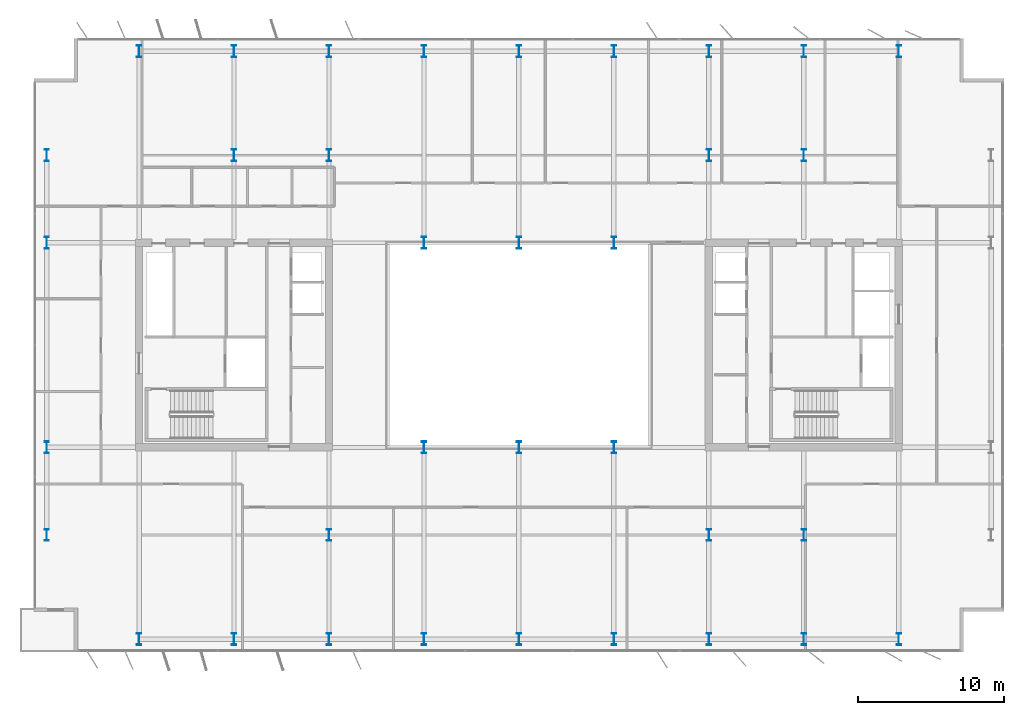
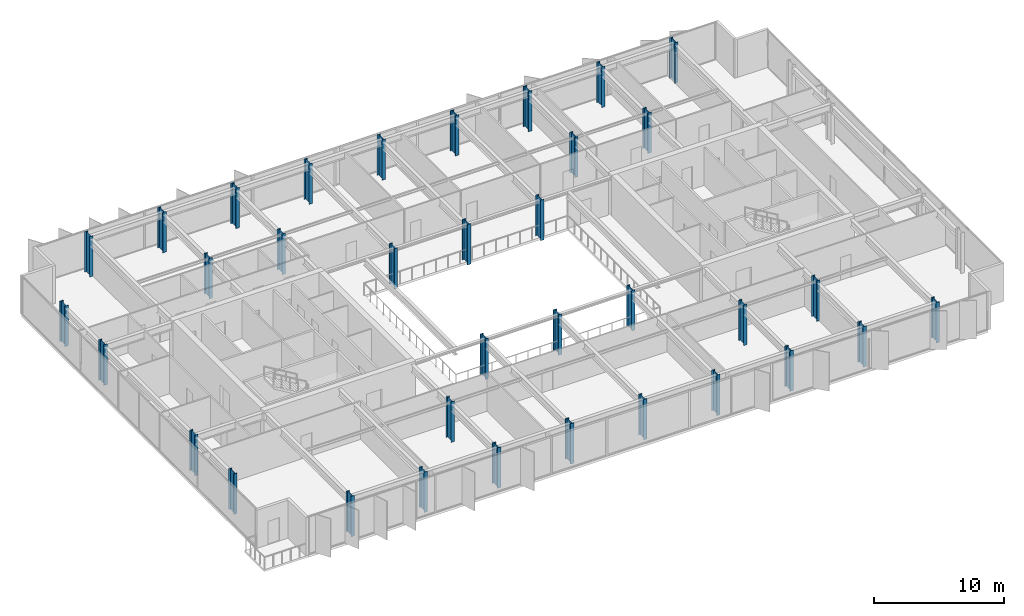
# One storey, part 1 of 23: 35 columns.
"""IFC4 building model written with IfcOpenShell, lengths in metres."""

from ifc_helpers import new_model, si_unit, direction, frame, origin, origin_2d, place, context, subcontext, project, spatial, i_section, extrude, material, material_profile, profile_set, type_object, element, save


model = new_model("IFC4")

# Units and contexts
model_context = context("Model", 3, precision=1e-05, world=origin(), true_north=direction((0.0, 1.0)))
body_context = subcontext(model_context, "Body", "Model", "MODEL_VIEW")
ifc_project = project(units=[si_unit("LENGTHUNIT", "METRE"), si_unit("AREAUNIT", "SQUARE_METRE"), si_unit("VOLUMEUNIT", "CUBIC_METRE"), si_unit("PLANEANGLEUNIT", "RADIAN"), si_unit("MASSUNIT", "GRAM", prefix="KILO")], contexts=[model_context])

# Site, building, storey
site_placement = place(None, origin())
site = spatial("IfcSite", under=ifc_project, at=site_placement, CompositionType="ELEMENT")
building_placement = place(site_placement, origin())
building = spatial("IfcBuilding", under=site, at=building_placement, Name="Putna Gate Headquarters", CompositionType="ELEMENT")
storey_placement = place(building_placement, frame((0.0, 0.0, 225.199951171875)))
storey = spatial("IfcBuildingStorey", under=building, at=storey_placement, Name="L56", CompositionType="ELEMENT", Elevation=225.199951171875)

# Columns
ifc_material = material(Name="Steel S460M", Category="steel")
ifc_material_profile_1 = material_profile(ifc_material, i_section(OverallWidth=0.302978515625, OverallDepth=0.81396484375, WebThickness=0.02099609375, FlangeThickness=0.0400390625, at=origin_2d()), Name="Steel S460M")
ifc_profile_set_1 = profile_set([ifc_material_profile_1], Name="Steel S460M")
column_type_1 = type_object("IfcColumnType", Name="COL-STL-HEM800-EXT", PredefinedType="COLUMN", material=ifc_profile_set_1)
for number, where, z_axis, x_axis, name in (
    (1, (13.0, 5.8798828125, 0.0), (0.0, 0.0, 1.0), (1.0, 0.0, 0.0), "L56 Column CP-S13"),
    (2, (13.0, 46.1201171875, 0.0), (0.0, 0.0, 1.0), (1.0, 0.0, 0.0), "L56 Column CP-N13"),
    (3, (19.5, 5.8798828125, 0.0), (0.0, 0.0, 1.0), (1.0, 0.0, 0.0), "L56 Column CP-S19"),
    (4, (19.5, 46.1201171875, 0.0), (0.0, 0.0, 1.0), (1.0, 0.0, 0.0), "L56 Column CP-N19"),
    (5, (26.0, 5.8798828125, 0.0), (0.0, 0.0, 1.0), (1.0, 0.0, 0.0), "L56 Column CP-S26"),
    (6, (26.0, 46.1201171875, 0.0), (0.0, 0.0, 1.0), (1.0, 0.0, 0.0), "L56 Column CP-N26"),
    (7, (32.5, 5.8798828125, 0.0), (0.0, 0.0, 1.0), (1.0, 0.0, 0.0), "L56 Column CP-S32"),
    (8, (32.5, 46.1201171875, 0.0), (0.0, 0.0, 1.0), (1.0, 0.0, 0.0), "L56 Column CP-N32"),
    (9, (39.0, 5.8798828125, 0.0), (0.0, 0.0, 1.0), (1.0, 0.0, 0.0), "L56 Column CP-S39"),
    (10, (39.0, 46.1201171875, 0.0), (0.0, 0.0, 1.0), (1.0, 0.0, 0.0), "L56 Column CP-N39"),
    (11, (45.5, 5.8798828125, 0.0), (0.0, 0.0, 1.0), (1.0, 0.0, 0.0), "L56 Column CP-S45"),
    (12, (45.5, 46.1201171875, 0.0), (0.0, 0.0, 1.0), (1.0, 0.0, 0.0), "L56 Column CP-N45"),
    (13, (52.0, 5.8798828125, 0.0), (0.0, 0.0, 1.0), (1.0, 0.0, 0.0), "L56 Column CP-S52"),
    (14, (52.0, 46.1201171875, 0.0), (0.0, 0.0, 1.0), (1.0, 0.0, 0.0), "L56 Column CP-N52"),
    (15, (58.5, 5.8798828125, 0.0), (0.0, 0.0, 1.0), (1.0, 0.0, 0.0), "L56 Column CP-S58"),
    (16, (58.5, 46.1201171875, 0.0), (0.0, 0.0, 1.0), (1.0, 0.0, 0.0), "L56 Column CP-N58"),
    (17, (65.0, 5.8798828125, 0.0), (0.0, 0.0, 1.0), (1.0, 0.0, 0.0), "L56 Column CP-S65"),
    (18, (65.0, 46.1201171875, 0.0), (0.0, 0.0, 1.0), (1.0, 0.0, 0.0), "L56 Column CP-N65"),
    (19, (6.679931640625, 13.0, 0.0), (0.0, 0.0, 1.0), (1.0, 0.0, 0.0), "L56 Column CP-W13"),
    (20, (6.679931640625, 19.0, 0.0), (0.0, 0.0, 1.0), (1.0, 0.0, 0.0), "L56 Column CP-W19"),
    (21, (6.679931640625, 33.0, 0.0), (0.0, 0.0, 1.0), (1.0, 0.0, 0.0), "L56 Column CP-W33"),
    (22, (6.679931640625, 39.0, 0.0), (0.0, 0.0, 1.0), (1.0, 0.0, 0.0), "L56 Column CP-W39"),
):
    element("IfcColumn", number, at=place(storey_placement, frame(where, z_axis=z_axis, x_axis=x_axis)), inside=storey, type_object=column_type_1, Name=name, PredefinedType="COLUMN", context=body_context, shape_type="SweptSolid", body=[
        extrude(i_section(OverallWidth=0.302978515625, OverallDepth=0.81396484375, WebThickness=0.02099609375, FlangeThickness=0.0400390625, at=origin_2d()), origin(), (0.0, 0.0, 1.0), 3.800048828125),
    ])
ifc_material_profile_2 = material_profile(ifc_material, i_section(OverallWidth=0.302978515625, OverallDepth=0.81396484375, WebThickness=0.02099609375, FlangeThickness=0.0400390625, at=origin_2d()), Name="Steel S460M")
ifc_profile_set_2 = profile_set([ifc_material_profile_2], Name="Steel S460M")
column_type_2 = type_object("IfcColumnType", Name="COL-STL-HEM800-INT", PredefinedType="COLUMN", material=ifc_profile_set_2)
for number, where, z_axis, x_axis, name in (
    (23, (19.5, 39.0, 0.0), (0.0, 0.0, 1.0), (1.0, 0.0, 0.0), "L56 Column CSI-WN"),
    (24, (58.5, 13.0, 0.0), (0.0, 0.0, 1.0), (1.0, 0.0, 0.0), "L56 Column CSI-ES"),
    (25, (58.5, 39.0, 0.0), (0.0, 0.0, 1.0), (1.0, 0.0, 0.0), "L56 Column CSI-EN"),
    (26, (32.5, 19.0, 0.0), (0.0, 0.0, 1.0), (1.0, 0.0, 0.0), "L56 Column CAI-S32"),
    (27, (32.5, 33.0, 0.0), (0.0, 0.0, 1.0), (1.0, 0.0, 0.0), "L56 Column CAI-N32"),
    (28, (39.0, 19.0, 0.0), (0.0, 0.0, 1.0), (1.0, 0.0, 0.0), "L56 Column CAI-S39"),
    (29, (39.0, 33.0, 0.0), (0.0, 0.0, 1.0), (1.0, 0.0, 0.0), "L56 Column CAI-N39"),
    (30, (45.5, 19.0, 0.0), (0.0, 0.0, 1.0), (1.0, 0.0, 0.0), "L56 Column CAI-S45"),
    (31, (45.5, 33.0, 0.0), (0.0, 0.0, 1.0), (1.0, 0.0, 0.0), "L56 Column CAI-N45"),
    (32, (26.0, 13.0, 0.0), (0.0, 0.0, 1.0), (1.0, 0.0, 0.0), "L56 Column CAP-WS"),
    (33, (26.0, 39.0, 0.0), (0.0, 0.0, 1.0), (1.0, 0.0, 0.0), "L56 Column CAP-WN"),
    (34, (52.0, 13.0, 0.0), (0.0, 0.0, 1.0), (1.0, 0.0, 0.0), "L56 Column CAP-ES"),
    (35, (52.0, 39.0, 0.0), (0.0, 0.0, 1.0), (1.0, 0.0, 0.0), "L56 Column CAP-EN"),
):
    element("IfcColumn", number, at=place(storey_placement, frame(where, z_axis=z_axis, x_axis=x_axis)), inside=storey, type_object=column_type_2, Name=name, PredefinedType="COLUMN", context=body_context, shape_type="SweptSolid", body=[
        extrude(i_section(OverallWidth=0.302978515625, OverallDepth=0.81396484375, WebThickness=0.02099609375, FlangeThickness=0.0400390625, at=origin_2d()), origin(), (0.0, 0.0, 1.0), 3.800048828125),
    ])

save(model, "model.ifc")
